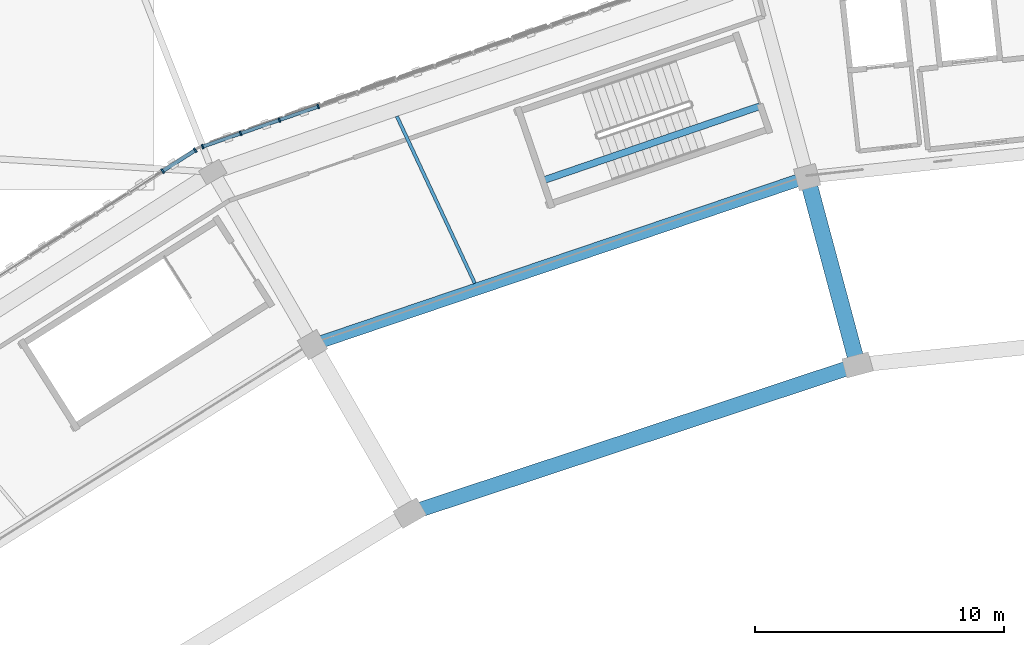
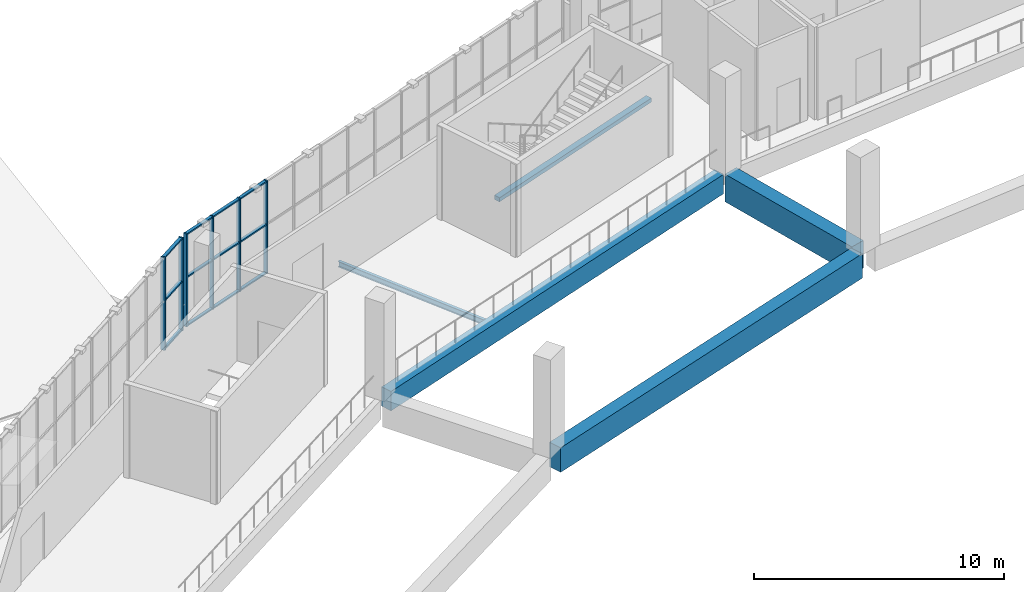
# One storey, part 37 of 108: 18 members, 5 beams, 2 elements without a shape of their own.
"""IFC4 building model written with IfcOpenShell, lengths in metres."""

from ifc_helpers import new_model, si_unit, direction, frame, origin, origin_2d, place, context, subcontext, project, spatial, rectangle, i_section, extrude, material, material_profile, profile_set, type_object, element, aggregate, save


model = new_model("IFC4")

# Units and contexts
model_context = context("Model", 3, precision=1e-05, world=origin(), true_north=direction((0.0, 1.0)))
body_context = subcontext(model_context, "Body", "Model", "MODEL_VIEW")
ifc_project = project(units=[si_unit("LENGTHUNIT", "METRE"), si_unit("AREAUNIT", "SQUARE_METRE"), si_unit("VOLUMEUNIT", "CUBIC_METRE"), si_unit("PLANEANGLEUNIT", "RADIAN"), si_unit("MASSUNIT", "GRAM", prefix="KILO")], contexts=[model_context])

# Site, building, storey
site_placement = place(None, origin())
site = spatial("IfcSite", under=ifc_project, at=site_placement, CompositionType="ELEMENT")
building_placement = place(site_placement, origin())
building = spatial("IfcBuilding", under=site, at=building_placement, Name="Zevraka Park Crest Stadium", CompositionType="ELEMENT")
storey_placement = place(building_placement, frame((0.0, 0.0, 19.800048828125)))
storey = spatial("IfcBuildingStorey", under=building, at=storey_placement, Name="L04", CompositionType="ELEMENT", Elevation=19.800048828125)

# Beam
ifc_material_1 = material(Name="Concrete C40/50", Category="concrete")
ifc_material_profile_1 = material_profile(ifc_material_1, rectangle(XDim=0.64990234375, YDim=1.35009765625, at=origin_2d()), Name="RC 1350x650")
ifc_profile_set_1 = profile_set([ifc_material_profile_1], Name="Concrete C40/50")
beam_type_1 = type_object("IfcBeamType", Name="BG01", PredefinedType="BEAM", material=ifc_profile_set_1)
beam_1_placement = place(storey_placement, frame((92.639892578125, 149.762939453125, -0.68505859375), z_axis=(-0.258747385792, 0.965945024495, 0.0), x_axis=(-0.965945024495, -0.258747385792, 0.0)))
element("IfcBeam", 1, at=beam_1_placement, inside=storey, type_object=beam_type_1, Name="Radial Girder BG01 L04-BC-07", PredefinedType="BEAM", context=body_context, shape_type="SweptSolid", body=[
    extrude(rectangle(XDim=0.64990234375, YDim=1.35009765625, at=origin_2d()), origin(), (0.0, 0.0, 1.0), 7.19921875),
])

# Curtain wall, members
ifc_material_2 = material(Name="Anodised architectural aluminium and laminated safety glass", Category="aluminium")
curtain_wall_type_1 = type_object("IfcCurtainWallType", Name="CW17", PredefinedType="NOTDEFINED", material=ifc_material_2)
curtain_wall_1_placement = place(storey_placement, origin())
curtain_wall_1 = element("IfcCurtainWall", 2, at=curtain_wall_1_placement, inside=storey, type_object=curtain_wall_type_1, Name="Unitised Ring Curtain Wall CW17 L04-07", PredefinedType="NOTDEFINED")
ifc_material_3 = material(Name="Anodised architectural aluminium", Category="aluminium")
ifc_material_profile_2 = material_profile(ifc_material_3, rectangle(XDim=0.179931640625, YDim=0.06494140625, at=origin_2d()), Name="ALU MULLION 180x65")
ifc_profile_set_2 = profile_set([ifc_material_profile_2], Name="Anodised architectural aluminium")
member_type_1 = type_object("IfcMemberType", Name="CM02", PredefinedType="MULLION", material=ifc_profile_set_2)
member_1_placement = place(storey_placement, frame((71.080322265625, 159.839111328125, 0.0), z_axis=(0.0, 0.0, 1.0), x_axis=(0.327244524523, -0.944939691816, 0.0)))
member_1 = element("IfcMember", 3, at=member_1_placement, type_object=member_type_1, Name="CW17 mullion 12", PredefinedType="MULLION", context=body_context, shape_type="SweptSolid", body=[
    extrude(rectangle(XDim=0.179931640625, YDim=0.06494140625, at=origin_2d()), origin(), (0.0, 0.0, 1.0), 4.5400390625),
])
member_2_placement = place(storey_placement, frame((69.52294921875, 159.2998046875, 0.0), z_axis=(0.0, 0.0, 1.0), x_axis=(0.327244524523, -0.944939691816, 0.0)))
member_2 = element("IfcMember", 4, at=member_2_placement, type_object=member_type_1, Name="CW17 mullion 13", PredefinedType="MULLION", context=body_context, shape_type="SweptSolid", body=[
    extrude(rectangle(XDim=0.179931640625, YDim=0.06494140625, at=origin_2d()), origin(), (0.0, 0.0, 1.0), 4.5400390625),
])
member_3_placement = place(storey_placement, frame((67.96533203125, 158.76025390625, 0.0), z_axis=(0.0, 0.0, 1.0), x_axis=(0.327244524523, -0.944939691816, 0.0)))
member_3 = element("IfcMember", 5, at=member_3_placement, type_object=member_type_1, Name="CW17 mullion 14", PredefinedType="MULLION", context=body_context, shape_type="SweptSolid", body=[
    extrude(rectangle(XDim=0.179931640625, YDim=0.06494140625, at=origin_2d()), origin(), (0.0, 0.0, 1.0), 4.5400390625),
])
member_4_placement = place(storey_placement, frame((66.438720703125, 158.231689453125, 0.0), z_axis=(0.0, 0.0, 1.0), x_axis=(0.327244524523, -0.944939691816, 0.0)))
member_4 = element("IfcMember", 6, at=member_4_placement, type_object=member_type_1, Name="CW17 mullion 15", PredefinedType="MULLION", context=body_context, shape_type="SweptSolid", body=[
    extrude(rectangle(XDim=0.179931640625, YDim=0.06494140625, at=origin_2d()), origin(), (0.0, 0.0, 1.0), 4.5400390625),
])

ifc_material_4 = material(Name="Anodised architectural aluminium and laminated safety glass", Category="aluminium")
curtain_wall_type_2 = type_object("IfcCurtainWallType", Name="CW18", PredefinedType="NOTDEFINED", material=ifc_material_4)
curtain_wall_2_placement = place(storey_placement, origin())
curtain_wall_2 = element("IfcCurtainWall", 7, at=curtain_wall_2_placement, inside=storey, type_object=curtain_wall_type_2, Name="Unitised Ring Curtain Wall CW18 L04-08", PredefinedType="NOTDEFINED")
ifc_material_5 = material(Name="Anodised architectural aluminium", Category="aluminium")
ifc_material_profile_3 = material_profile(ifc_material_5, rectangle(XDim=0.199951171875, YDim=0.070068359375, at=origin_2d()), Name="ALU MULLION 200x70")
ifc_profile_set_3 = profile_set([ifc_material_profile_3], Name="Anodised architectural aluminium")
member_type_2 = type_object("IfcMemberType", Name="CM03", PredefinedType="MULLION", material=ifc_profile_set_3)
member_5_placement = place(storey_placement, frame((66.1455078125, 158.089111328125, 0.0), z_axis=(0.0, 0.0, 1.0), x_axis=(0.539979944029, -0.841677883781, 0.0)))
member_5 = element("IfcMember", 8, at=member_5_placement, type_object=member_type_2, Name="CW18 mullion 1", PredefinedType="MULLION", context=body_context, shape_type="SweptSolid", body=[
    extrude(rectangle(XDim=0.199951171875, YDim=0.070068359375, at=origin_2d()), origin(), (0.0, 0.0, 1.0), 4.5400390625),
])
member_6_placement = place(storey_placement, frame((64.83837890625, 157.25048828125, 0.0), z_axis=(0.0, 0.0, 1.0), x_axis=(0.539979944029, -0.841677883781, 0.0)))
member_6 = element("IfcMember", 9, at=member_6_placement, type_object=member_type_2, Name="CW18 mullion 2", PredefinedType="MULLION", context=body_context, shape_type="SweptSolid", body=[
    extrude(rectangle(XDim=0.199951171875, YDim=0.070068359375, at=origin_2d()), origin(), (0.0, 0.0, 1.0), 4.5400390625),
])

# Member
ifc_material_6 = material(Name="Anodised architectural aluminium", Category="aluminium")
ifc_material_profile_4 = material_profile(ifc_material_6, rectangle(XDim=0.139892578125, YDim=0.06494140625, at=origin_2d()), Name="ALU TRANSOM 140x65")
ifc_profile_set_4 = profile_set([ifc_material_profile_4], Name="Anodised architectural aluminium")
member_type_3 = type_object("IfcMemberType", Name="CT02", PredefinedType="USERDEFINED", material=ifc_profile_set_4)
member_7_placement = place(storey_placement, frame((71.049560546875, 159.828369140625, 0.032470703125), z_axis=(-0.94494940126, -0.327216486533, 0.0), x_axis=(0.327216486533, -0.94494940126, 0.0)))
member_7 = element("IfcMember", 10, at=member_7_placement, type_object=member_type_3, Name="CW17 transom 12.1", ObjectType="TRANSOM", PredefinedType="USERDEFINED", context=body_context, shape_type="SweptSolid", body=[
    extrude(rectangle(XDim=0.139892578125, YDim=0.06494140625, at=origin_2d()), origin(), (0.0, 0.0, 1.0), 1.583251953125),
])

member_8_placement = place(storey_placement, frame((71.049560546875, 159.828369140625, 2.39990234375), z_axis=(-0.94494940126, -0.327216486533, 0.0), x_axis=(0.327216486533, -0.94494940126, 0.0)))
member_8 = element("IfcMember", 11, at=member_8_placement, type_object=member_type_3, Name="CW17 transom 12.2", ObjectType="TRANSOM", PredefinedType="USERDEFINED", context=body_context, shape_type="SweptSolid", body=[
    extrude(rectangle(XDim=0.139892578125, YDim=0.06494140625, at=origin_2d()), origin(), (0.0, 0.0, 1.0), 1.583251953125),
])

member_9_placement = place(storey_placement, frame((71.049560546875, 159.828369140625, 4.507568359375), z_axis=(-0.94494940126, -0.327216486533, 0.0), x_axis=(0.327216486533, -0.94494940126, 0.0)))
member_9 = element("IfcMember", 12, at=member_9_placement, type_object=member_type_3, Name="CW17 transom 12.3", ObjectType="TRANSOM", PredefinedType="USERDEFINED", context=body_context, shape_type="SweptSolid", body=[
    extrude(rectangle(XDim=0.139892578125, YDim=0.06494140625, at=origin_2d()), origin(), (0.0, 0.0, 1.0), 1.583251953125),
])

member_10_placement = place(storey_placement, frame((69.4921875, 159.2890625, 0.032470703125), z_axis=(-0.94494940126, -0.327216486533, 0.0), x_axis=(0.327216486533, -0.94494940126, 0.0)))
member_10 = element("IfcMember", 13, at=member_10_placement, type_object=member_type_3, Name="CW17 transom 13.1", ObjectType="TRANSOM", PredefinedType="USERDEFINED", context=body_context, shape_type="SweptSolid", body=[
    extrude(rectangle(XDim=0.139892578125, YDim=0.06494140625, at=origin_2d()), origin(), (0.0, 0.0, 1.0), 1.583251953125),
])

member_11_placement = place(storey_placement, frame((69.4921875, 159.2890625, 2.39990234375), z_axis=(-0.94494940126, -0.327216486533, 0.0), x_axis=(0.327216486533, -0.94494940126, 0.0)))
member_11 = element("IfcMember", 14, at=member_11_placement, type_object=member_type_3, Name="CW17 transom 13.2", ObjectType="TRANSOM", PredefinedType="USERDEFINED", context=body_context, shape_type="SweptSolid", body=[
    extrude(rectangle(XDim=0.139892578125, YDim=0.06494140625, at=origin_2d()), origin(), (0.0, 0.0, 1.0), 1.583251953125),
])

member_12_placement = place(storey_placement, frame((69.4921875, 159.2890625, 4.507568359375), z_axis=(-0.94494940126, -0.327216486533, 0.0), x_axis=(0.327216486533, -0.94494940126, 0.0)))
member_12 = element("IfcMember", 15, at=member_12_placement, type_object=member_type_3, Name="CW17 transom 13.3", ObjectType="TRANSOM", PredefinedType="USERDEFINED", context=body_context, shape_type="SweptSolid", body=[
    extrude(rectangle(XDim=0.139892578125, YDim=0.06494140625, at=origin_2d()), origin(), (0.0, 0.0, 1.0), 1.583251953125),
])

member_13_placement = place(storey_placement, frame((67.934814453125, 158.749755859375, 0.032470703125), z_axis=(-0.944918670821, -0.3273052177, 0.0), x_axis=(0.3273052177, -0.944918670821, 0.0)))
member_13 = element("IfcMember", 16, at=member_13_placement, type_object=member_type_3, Name="CW17 transom 14.1", ObjectType="TRANSOM", PredefinedType="USERDEFINED", context=body_context, shape_type="SweptSolid", body=[
    extrude(rectangle(XDim=0.139892578125, YDim=0.06494140625, at=origin_2d()), origin(), (0.0, 0.0, 1.0), 1.55078125),
])

member_14_placement = place(storey_placement, frame((67.934814453125, 158.749755859375, 2.39990234375), z_axis=(-0.944918670821, -0.3273052177, 0.0), x_axis=(0.3273052177, -0.944918670821, 0.0)))
member_14 = element("IfcMember", 17, at=member_14_placement, type_object=member_type_3, Name="CW17 transom 14.2", ObjectType="TRANSOM", PredefinedType="USERDEFINED", context=body_context, shape_type="SweptSolid", body=[
    extrude(rectangle(XDim=0.139892578125, YDim=0.06494140625, at=origin_2d()), origin(), (0.0, 0.0, 1.0), 1.55078125),
])

member_15_placement = place(storey_placement, frame((67.934814453125, 158.749755859375, 4.507568359375), z_axis=(-0.944918670821, -0.3273052177, 0.0), x_axis=(0.3273052177, -0.944918670821, 0.0)))
member_15 = element("IfcMember", 18, at=member_15_placement, type_object=member_type_3, Name="CW17 transom 14.3", ObjectType="TRANSOM", PredefinedType="USERDEFINED", context=body_context, shape_type="SweptSolid", body=[
    extrude(rectangle(XDim=0.139892578125, YDim=0.06494140625, at=origin_2d()), origin(), (0.0, 0.0, 1.0), 1.55078125),
])

aggregate(curtain_wall_1, [member_1, member_2, member_3, member_4, member_7, member_8, member_9, member_10, member_11, member_12, member_13, member_14, member_15])

ifc_material_7 = material(Name="Anodised architectural aluminium", Category="aluminium")
ifc_material_profile_5 = material_profile(ifc_material_7, rectangle(XDim=0.14990234375, YDim=0.070068359375, at=origin_2d()), Name="ALU TRANSOM 150x70")
ifc_profile_set_5 = profile_set([ifc_material_profile_5], Name="Anodised architectural aluminium")
member_type_4 = type_object("IfcMemberType", Name="CT03", PredefinedType="USERDEFINED", material=ifc_profile_set_5)
member_16_placement = place(storey_placement, frame((66.115966796875, 158.0703125, 0.034912109375), z_axis=(-0.84162208892, -0.540066902747, 0.0), x_axis=(0.540066902747, -0.84162208892, 0.0)))
member_16 = element("IfcMember", 19, at=member_16_placement, type_object=member_type_4, Name="CW18 transom 1.1", ObjectType="TRANSOM", PredefinedType="USERDEFINED", context=body_context, shape_type="SweptSolid", body=[
    extrude(rectangle(XDim=0.14990234375, YDim=0.070068359375, at=origin_2d()), origin(), (0.0, 0.0, 1.0), 1.483154296875),
])

member_17_placement = place(storey_placement, frame((66.115966796875, 158.0703125, 2.39990234375), z_axis=(-0.84162208892, -0.540066902747, 0.0), x_axis=(0.540066902747, -0.84162208892, 0.0)))
member_17 = element("IfcMember", 20, at=member_17_placement, type_object=member_type_4, Name="CW18 transom 1.2", ObjectType="TRANSOM", PredefinedType="USERDEFINED", context=body_context, shape_type="SweptSolid", body=[
    extrude(rectangle(XDim=0.14990234375, YDim=0.070068359375, at=origin_2d()), origin(), (0.0, 0.0, 1.0), 1.483154296875),
])

member_18_placement = place(storey_placement, frame((66.115966796875, 158.0703125, 4.5048828125), z_axis=(-0.84162208892, -0.540066902747, 0.0), x_axis=(0.540066902747, -0.84162208892, 0.0)))
member_18 = element("IfcMember", 21, at=member_18_placement, type_object=member_type_4, Name="CW18 transom 1.3", ObjectType="TRANSOM", PredefinedType="USERDEFINED", context=body_context, shape_type="SweptSolid", body=[
    extrude(rectangle(XDim=0.14990234375, YDim=0.070068359375, at=origin_2d()), origin(), (0.0, 0.0, 1.0), 1.483154296875),
])

aggregate(curtain_wall_2, [member_5, member_6, member_16, member_17, member_18])

# Beams
ifc_material_8 = material(Name="Concrete C40/50", Category="concrete")
ifc_material_profile_6 = material_profile(ifc_material_8, rectangle(XDim=0.60009765625, YDim=1.199951171875, at=origin_2d()), Name="RC 1200x600")
ifc_profile_set_6 = profile_set([ifc_material_profile_6], Name="Concrete C40/50")
beam_type_2 = type_object("IfcBeamType", Name="RB01", PredefinedType="BEAM", material=ifc_profile_set_6)
beam_2_placement = place(storey_placement, frame((92.35693359375, 149.35400390625, -0.610107421875), z_axis=(-0.949383863235, -0.314118258349, 0.0), x_axis=(0.314118258349, -0.949383863235, 0.0)))
element("IfcBeam", 22, at=beam_2_placement, inside=storey, type_object=beam_type_2, Name="Ring Beam RB01 L04-B-07", PredefinedType="BEAM", context=body_context, shape_type="SweptSolid", body=[
    extrude(rectangle(XDim=0.60009765625, YDim=1.199951171875, at=origin_2d()), origin(), (0.0, 0.0, 1.0), 18.165283203125),
])
ifc_material_9 = material(Name="Concrete C40/50", Category="concrete")
ifc_material_profile_7 = material_profile(ifc_material_9, rectangle(XDim=0.5, YDim=0.949951171875, at=origin_2d()), Name="RC 950x500")
ifc_profile_set_7 = profile_set([ifc_material_profile_7], Name="Concrete C40/50")
beam_type_3 = type_object("IfcBeamType", Name="RB02", PredefinedType="BEAM", material=ifc_profile_set_7)
beam_3_placement = place(storey_placement, frame((90.339111328125, 156.885009765625, -0.485107421875), z_axis=(-0.947147952377, -0.320797064058, 0.0), x_axis=(0.320797064058, -0.947147952377, 0.0)))
element("IfcBeam", 23, at=beam_3_placement, inside=storey, type_object=beam_type_3, Name="Ring Beam RB02 L04-C-07", PredefinedType="BEAM", context=body_context, shape_type="SweptSolid", body=[
    extrude(rectangle(XDim=0.5, YDim=0.949951171875, at=origin_2d()), origin(), (0.0, 0.0, 1.0), 20.196533203125),
])
ifc_material_10 = material(Name="Steel S355", Category="steel")
ifc_material_profile_8 = material_profile(ifc_material_10, i_section(OverallWidth=0.135009765625, OverallDepth=0.27001953125, WebThickness=0.006591796875, FlangeThickness=0.01025390625, at=origin_2d()), Name="IPE 270")
ifc_profile_set_8 = profile_set([ifc_material_profile_8], Name="Steel S355")
beam_type_4 = type_object("IfcBeamType", Name="SJ07", PredefinedType="JOIST", material=ifc_profile_set_8)
beam_4_placement = place(storey_placement, frame((77.363037109375, 152.7470703125, -0.403076171875), z_axis=(-0.422910754133, 0.906171338125, 0.0), x_axis=(-0.906171338125, -0.422910754133, 0.0)))
element("IfcBeam", 24, at=beam_4_placement, inside=storey, type_object=beam_type_4, Name="Floor Joist SJ07 L04-CD-07-2", PredefinedType="JOIST", context=body_context, shape_type="SweptSolid", body=[
    extrude(i_section(OverallWidth=0.135009765625, OverallDepth=0.27001953125, WebThickness=0.006591796875, FlangeThickness=0.01025390625, at=origin_2d()), origin(), (0.0, 0.0, 1.0), 7.399169921875),
])
ifc_material_11 = material(Name="Concrete C40/50", Category="concrete")
ifc_material_profile_9 = material_profile(ifc_material_11, rectangle(XDim=0.280029296875, YDim=0.199951171875, at=origin_2d()), Name="RC 200x280")
ifc_profile_set_9 = profile_set([ifc_material_profile_9], Name="Concrete C40/50")
beam_type_5 = type_object("IfcBeamType", Name="SJ13", PredefinedType="JOIST", material=ifc_profile_set_9)
beam_5_placement = place(storey_placement, frame((88.80322265625, 159.855712890625, 2.300048828125), z_axis=(-0.946065027556, -0.323976794902, 0.0), x_axis=(0.323976794902, -0.946065027556, 0.0)))
element("IfcBeam", 25, at=beam_5_placement, inside=storey, type_object=beam_type_5, Name="Stair Upper-Flight Longitudinal Stringer SJ13 ST08-L04", PredefinedType="JOIST", context=body_context, shape_type="SweptSolid", body=[
    extrude(rectangle(XDim=0.280029296875, YDim=0.199951171875, at=origin_2d()), origin(), (0.0, 0.0, 1.0), 9.250244140625),
])

save(model, "model.ifc")
